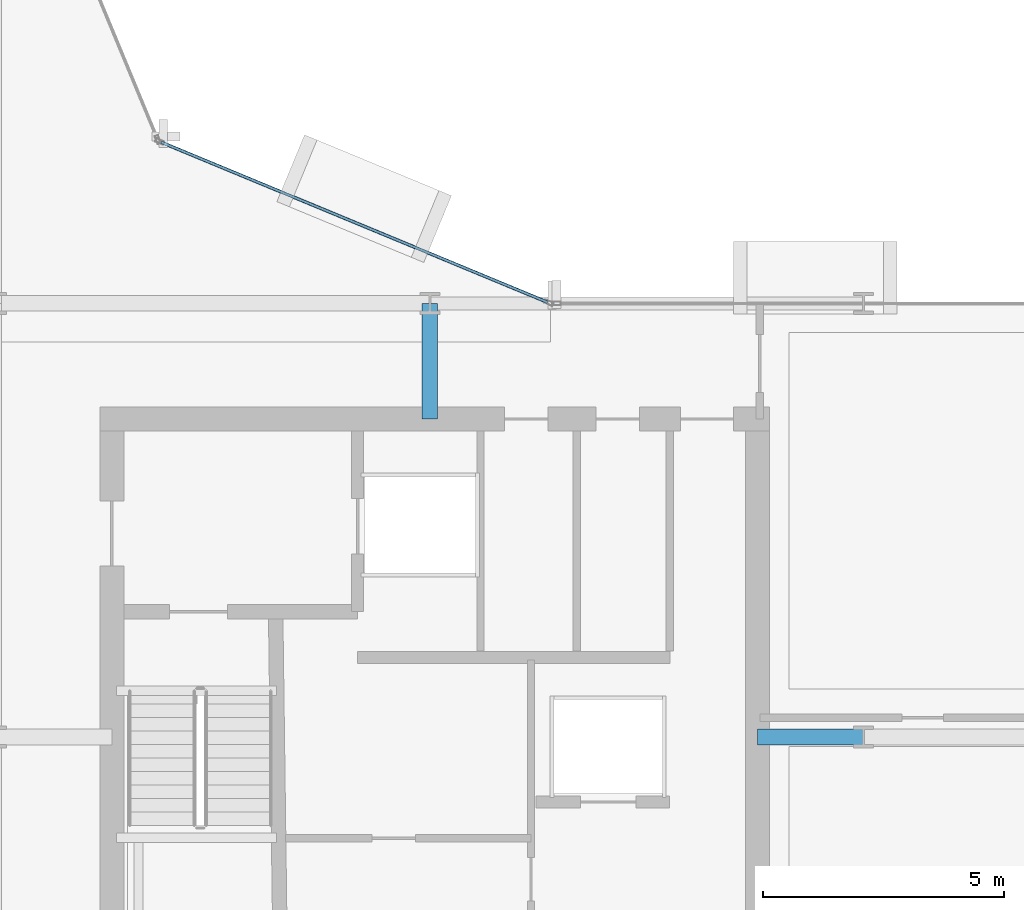
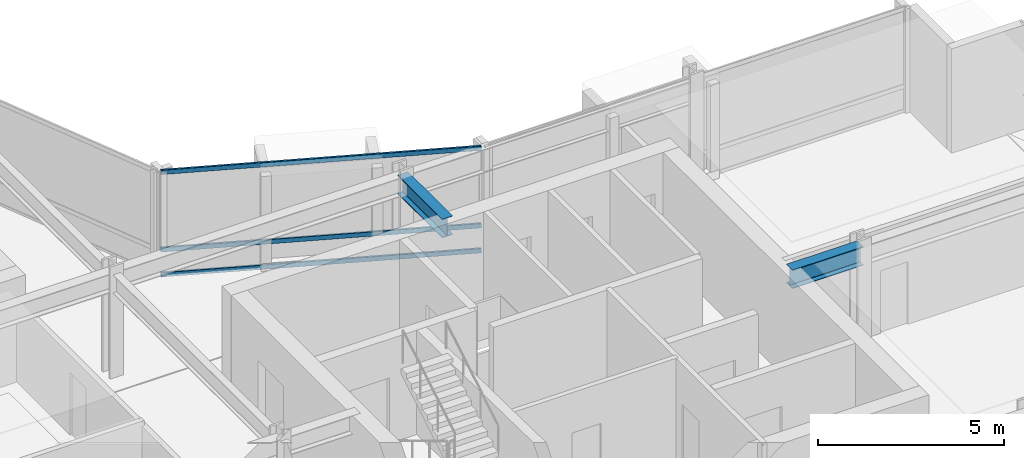
# One storey, part 12 of 29: 3 members, 2 beams, 1 element without a shape of its own.
"""IFC4 building model written with IfcOpenShell, lengths in metres."""

from ifc_helpers import new_model, si_unit, direction, frame, origin, origin_2d, place, context, subcontext, project, spatial, hollow_rectangle, i_section, extrude, material, layer, layer_set, material_profile, profile_set, type_object, element, aggregate, save


model = new_model("IFC4")

# Units and contexts
model_context = context("Model", 3, precision=1e-05, world=origin(), true_north=direction((0.0, 1.0)))
body_context = subcontext(model_context, "Body", "Model", "MODEL_VIEW")
ifc_project = project(units=[si_unit("LENGTHUNIT", "METRE"), si_unit("AREAUNIT", "SQUARE_METRE"), si_unit("VOLUMEUNIT", "CUBIC_METRE"), si_unit("PLANEANGLEUNIT", "RADIAN"), si_unit("MASSUNIT", "GRAM", prefix="KILO")], contexts=[model_context])

# Site, building, storey
site_placement = place(None, origin())
site = spatial("IfcSite", under=ifc_project, at=site_placement, CompositionType="ELEMENT")
building_placement = place(site_placement, origin())
building = spatial("IfcBuilding", under=site, at=building_placement, Name="Solvaryn Broadcast Tower", CompositionType="ELEMENT")
storey_placement = place(building_placement, frame((0.0, 0.0, 128.5)))
storey = spatial("IfcBuildingStorey", under=building, at=storey_placement, Name="L31", CompositionType="ELEMENT", Elevation=128.5)

# Beams
ifc_material_1 = material(Name="Steel ASTM A992 Grade 50", Category="steel")
ifc_material_profile_1 = material_profile(ifc_material_1, i_section(OverallWidth=0.323974609375, OverallDepth=0.611083984375, WebThickness=0.0126953125, FlangeThickness=0.01904296875, FilletRadius=0.014892578125, at=origin_2d()))
ifc_profile_set_1 = profile_set([ifc_material_profile_1], Name="Steel ASTM A992 Grade 50")
beam_type = type_object("IfcBeamType", Name="BM-B1-W24X104", PredefinedType="BEAM", material=ifc_profile_set_1)
beam_1_placement = place(storey_placement, frame((36.0, 24.60009765625, 3.114501953125), z_axis=(0.0, 1.0, 0.0), x_axis=(-1.0, 0.0, 0.0)))
element("IfcBeam", 1, at=beam_1_placement, inside=storey, type_object=beam_type, Name="L31 Core Tie Beam CTE2", PredefinedType="BEAM", context=body_context, shape_type="SweptSolid", body=[
    extrude(i_section(OverallWidth=0.323974609375, OverallDepth=0.611083984375, WebThickness=0.0126953125, FlangeThickness=0.01904296875, FilletRadius=0.014892578125, at=origin_2d()), origin(), (0.0, 0.0, 1.0), 2.39990234375),
])
beam_2_placement = place(storey_placement, frame((42.800048828125, 18.0, 3.114501953125), z_axis=(1.0, 0.0, 0.0), x_axis=(0.0, 1.0, 0.0)))
element("IfcBeam", 2, at=beam_2_placement, inside=storey, type_object=beam_type, Name="L31 Core Tie Beam CTE3", PredefinedType="BEAM", context=body_context, shape_type="SweptSolid", body=[
    extrude(i_section(OverallWidth=0.323974609375, OverallDepth=0.611083984375, WebThickness=0.0126953125, FlangeThickness=0.01904296875, FilletRadius=0.014892578125, at=origin_2d()), origin(), (0.0, 0.0, 1.0), 2.199951171875),
])

# Curtain wall, members
ifc_material_2 = material(Name="Aluminium and Terracotta Unitised Curtain Wall", Category="masonry")
ifc_layer = layer(ifc_material_2, 0.199951171875)
ifc_layer_set = layer_set([ifc_layer], Name="CW-SYS2-LOWMID")
curtain_wall_type = type_object("IfcCurtainWallType", Name="CW-SYS2-LOWMID", PredefinedType="NOTDEFINED", material=ifc_layer_set)
curtain_wall_placement = place(storey_placement, origin())
curtain_wall = element("IfcCurtainWall", 3, at=curtain_wall_placement, inside=storey, type_object=curtain_wall_type, Name="L31 Curtain Wall CN1", PredefinedType="NOTDEFINED")
ifc_material_3 = material(Name="Anodised Aluminium 6063-T6", Category="aluminium")
ifc_material_profile_2 = material_profile(ifc_material_3, hollow_rectangle(XDim=0.06494140625, YDim=0.14990234375, WallThickness=0.00390625, InnerFilletRadius=0.00390625, OuterFilletRadius=0.008056640625, at=origin_2d()))
ifc_profile_set_2 = profile_set([ifc_material_profile_2], Name="Anodised Aluminium 6063-T6")
member_type = type_object("IfcMemberType", Name="CW-TRN-150", PredefinedType="USERDEFINED", material=ifc_profile_set_2)
member_1_placement = place(storey_placement, frame((38.444580078125, 27.02294921875, 0.030029296875), z_axis=(-0.923899282177, 0.382635748975, 0.0), x_axis=(-0.382635748975, -0.923899282177, 0.0)))
member_1 = element("IfcMember", 4, at=member_1_placement, type_object=member_type, Name="CWS2 transom 1.1", ObjectType="TRANSOM", PredefinedType="USERDEFINED", context=body_context, shape_type="SweptSolid", body=[
    extrude(hollow_rectangle(XDim=0.06494140625, YDim=0.14990234375, WallThickness=0.00390625, InnerFilletRadius=0.00390625, OuterFilletRadius=0.008056640625, at=origin_2d()), origin(), (0.0, 0.0, 1.0), 8.681884765625),
])
member_2_placement = place(storey_placement, frame((38.444580078125, 27.02294921875, 0.85009765625), z_axis=(-0.923899282177, 0.382635748975, 0.0), x_axis=(-0.382635748975, -0.923899282177, 0.0)))
member_2 = element("IfcMember", 5, at=member_2_placement, type_object=member_type, Name="CWS2 transom 1.2", ObjectType="TRANSOM", PredefinedType="USERDEFINED", context=body_context, shape_type="SweptSolid", body=[
    extrude(hollow_rectangle(XDim=0.06494140625, YDim=0.14990234375, WallThickness=0.00390625, InnerFilletRadius=0.00390625, OuterFilletRadius=0.008056640625, at=origin_2d()), origin(), (0.0, 0.0, 1.0), 8.681884765625),
])
member_3_placement = place(storey_placement, frame((38.444580078125, 27.02294921875, 3.389892578125), z_axis=(-0.923899282177, 0.382635748975, 0.0), x_axis=(-0.382635748975, -0.923899282177, 0.0)))
member_3 = element("IfcMember", 6, at=member_3_placement, type_object=member_type, Name="CWS2 transom 1.3", ObjectType="TRANSOM", PredefinedType="USERDEFINED", context=body_context, shape_type="SweptSolid", body=[
    extrude(hollow_rectangle(XDim=0.06494140625, YDim=0.14990234375, WallThickness=0.00390625, InnerFilletRadius=0.00390625, OuterFilletRadius=0.008056640625, at=origin_2d()), origin(), (0.0, 0.0, 1.0), 8.681884765625),
])
aggregate(curtain_wall, [member_1, member_2, member_3])

save(model, "model.ifc")
